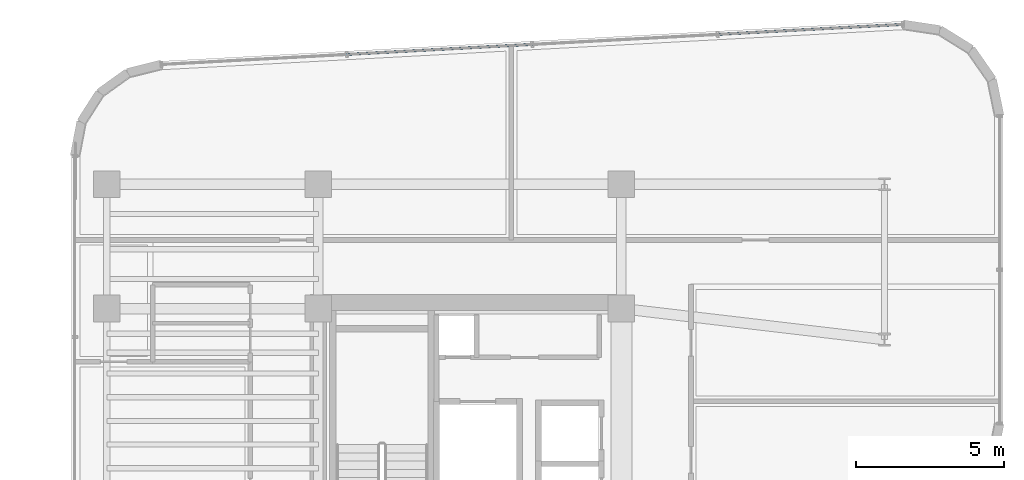
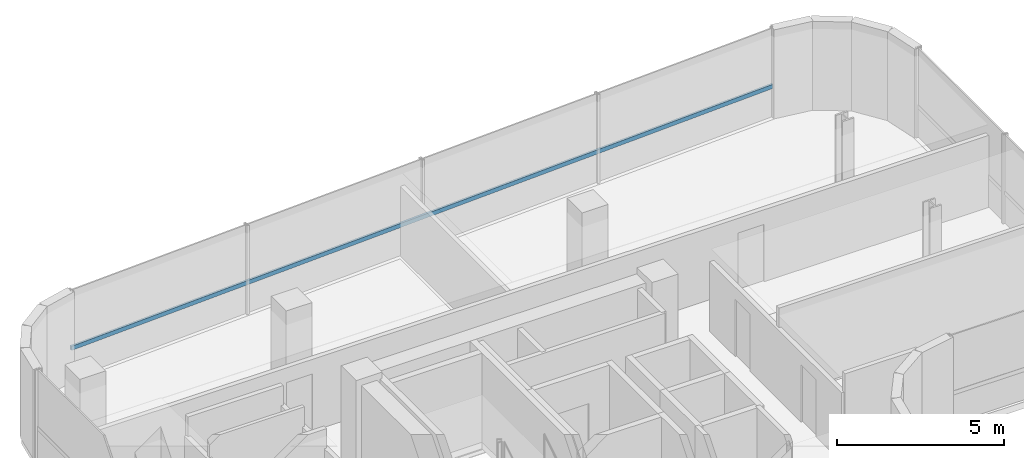
# One storey, part 15 of 22: 1 member, 1 element without a shape of its own.
"""IFC4 building model written with IfcOpenShell, lengths in metres."""

import ifcopenshell
import ifcopenshell.guid

model = None  # the IFC model being written
_history = None  # IfcOwnerHistory: only IFC2X3 demands one
_inside = {}  # id of a spatial element -> (the spatial element, [elements in it])
_under = {}  # id of a project, library or spatial element -> (it, [spatial elements below it])
_declared = {}  # id of a project -> (the project, [libraries it declares])
_typed = {}  # id of a type object -> (the type object, [elements of that type])
_made_of = {}  # id of a material, layer set ... -> (it, [elements and type objects made of it])


def new_model(schema):
    """Start an empty IFC model of exactly this schema.

    Asked for "IFC4X3", IfcOpenShell would pick the latest addendum, in which some entities
    have other attributes; the version numbers below select the first issue.
    IFC2X3 requires an IfcOwnerHistory on every rooted entity: one is made here for all.
    """
    global model, _history
    if schema == "IFC4X3":
        model = ifcopenshell.file(schema_version=(4, 3, 0, 0))
    else:
        model = ifcopenshell.file(schema=schema)
    _inside.clear()
    _under.clear()
    _declared.clear()
    _typed.clear()
    _made_of.clear()
    _history = None
    if model.schema == "IFC2X3":
        org = make("IfcOrganization", Name="unknown")
        user = make(
            "IfcPersonAndOrganization",
            ThePerson=make("IfcPerson", FamilyName="unknown"),
            TheOrganization=org,
        )
        app = make(
            "IfcApplication",
            ApplicationDeveloper=org,
            Version="unknown",
            ApplicationFullName="unknown",
            ApplicationIdentifier="unknown",
        )
        _history = make(
            "IfcOwnerHistory",
            OwningUser=user,
            OwningApplication=app,
            ChangeAction="ADDED",
            CreationDate=0,
        )
    return model


def make(cls, **values):
    """One entity of the class cls with the attributes given. An attribute that is None is left unset."""
    return model.create_entity(
        cls, **{name: value for name, value in values.items() if value is not None}
    )


def rooted(cls, **values):
    """An entity with a GlobalId (a new one), such as an element, a storey or a relation."""
    return make(cls, GlobalId=ifcopenshell.guid.new(), OwnerHistory=_history, **values)


def si_unit(unit_type, name, prefix=None):
    """IfcSIUnit, for example si_unit("LENGTHUNIT", "METRE", prefix="MILLI")."""
    return make("IfcSIUnit", UnitType=unit_type, Prefix=prefix, Name=name)


def assignment(units):
    """IfcUnitAssignment: the units of a project."""
    return None if units is None else make("IfcUnitAssignment", Units=units)


def point(xyz):
    """IfcCartesianPoint."""
    return None if xyz is None else make("IfcCartesianPoint", Coordinates=xyz)


def direction(xyz):
    """IfcDirection."""
    return None if xyz is None else make("IfcDirection", DirectionRatios=xyz)


def frame(location, z_axis=None, x_axis=None):
    """IfcAxis2Placement3D, a coordinate frame: its origin and axes. An axis left out is left unset."""
    return make(
        "IfcAxis2Placement3D",
        Location=point(location),
        Axis=direction(z_axis),
        RefDirection=direction(x_axis),
    )


def frame_2d(location, x_axis=None):
    """IfcAxis2Placement2D, a coordinate frame in the plane: its origin and x axis."""
    return make(
        "IfcAxis2Placement2D", Location=point(location), RefDirection=direction(x_axis)
    )


def origin():
    """The frame at (0, 0, 0) with its axes left unset."""
    return frame((0.0, 0.0, 0.0))


def origin_2d():
    """The frame at (0, 0) in the plane with its x axis left unset."""
    return frame_2d((0.0, 0.0))


def place(relative_to, where):
    """IfcLocalPlacement: puts the frame where relative to a parent placement (None: the world)."""
    return make(
        "IfcLocalPlacement", PlacementRelTo=relative_to, RelativePlacement=where
    )


def context(
    kind, dimensions, precision=None, world=None, true_north=None, identifier=None
):
    """IfcGeometricRepresentationContext, for example the 3D "Model" context."""
    return make(
        "IfcGeometricRepresentationContext",
        ContextIdentifier=identifier,
        ContextType=kind,
        CoordinateSpaceDimension=dimensions,
        Precision=precision,
        WorldCoordinateSystem=world,
        TrueNorth=true_north,
    )


def subcontext(parent, identifier, kind, view, scale=None):
    """IfcGeometricRepresentationSubContext, for example "Body" below "Model"."""
    return make(
        "IfcGeometricRepresentationSubContext",
        ContextIdentifier=identifier,
        ContextType=kind,
        ParentContext=parent,
        TargetScale=scale,
        TargetView=view,
    )


def project(units=None, contexts=None):
    """IfcProject with its units and contexts."""
    return rooted(
        "IfcProject",
        Name="project",
        RepresentationContexts=contexts,
        UnitsInContext=assignment(units),
    )


def spatial(cls, under=None, at=None, **own):
    """A site, building, storey or space (cls), placed at a placement, below another one or the project."""
    s = rooted(cls, ObjectPlacement=at, **own)
    if under is not None:
        _under.setdefault(under.id(), (under, []))[1].append(s)
    return s


def profile(cls, at=None, kind="AREA", **sizes):
    """A parametric profile (cls). Its sizes go by their IFC names, for example OverallWidth=200.0."""
    return make(cls, ProfileType=kind, Position=at, **sizes)


def hollow_rectangle(**sizes):
    """IfcRectangleHollowProfileDef."""
    return profile("IfcRectangleHollowProfileDef", **sizes)


def extrude(swept, where, along, depth):
    """IfcExtrudedAreaSolid: the profile swept, set in the frame where, extruded along a direction by depth."""
    return make(
        "IfcExtrudedAreaSolid",
        SweptArea=swept,
        Position=where,
        ExtrudedDirection=direction(along),
        Depth=depth,
    )


def shape(context_of_items, identifier, shape_type, items):
    """IfcShapeRepresentation: the items that make up one representation, for example the "Body"."""
    return make(
        "IfcShapeRepresentation",
        ContextOfItems=context_of_items,
        RepresentationIdentifier=identifier,
        RepresentationType=shape_type,
        Items=items,
    )


def source(mapping_origin, context_of_items, identifier, shape_type, items):
    """IfcRepresentationMap: a shape defined once, which mapped items show again and again."""
    return make(
        "IfcRepresentationMap",
        MappingOrigin=mapping_origin,
        MappedRepresentation=shape(context_of_items, identifier, shape_type, items),
    )


def transform(
    local_origin,
    x_axis=None,
    y_axis=None,
    z_axis=None,
    scale=None,
    scale2=None,
    scale3=None,
    uniform=True,
):
    """IfcCartesianTransformationOperator3D, or its non-uniform kind. x_axis, y_axis, z_axis: its Axis1, 2, 3."""
    if uniform:
        return make(
            "IfcCartesianTransformationOperator3D",
            Axis1=direction(x_axis),
            Axis2=direction(y_axis),
            LocalOrigin=point(local_origin),
            Scale=scale,
            Axis3=direction(z_axis),
        )
    return make(
        "IfcCartesianTransformationOperator3DnonUniform",
        Axis1=direction(x_axis),
        Axis2=direction(y_axis),
        LocalOrigin=point(local_origin),
        Scale=scale,
        Axis3=direction(z_axis),
        Scale2=scale2,
        Scale3=scale3,
    )


def mapped(mapping_source, mapping_target):
    """IfcMappedItem: shows the shape of a source again, moved by a transform."""
    return make(
        "IfcMappedItem", MappingSource=mapping_source, MappingTarget=mapping_target
    )


def material(Name=None, Category=None):
    """IfcMaterial."""
    return make("IfcMaterial", Name=Name, Category=Category)


def material_profile(
    of_material, cross_section, Name=None, Category=None, Priority=None
):
    """IfcMaterialProfile: a cross section and its material."""
    return make(
        "IfcMaterialProfile",
        Name=Name,
        Material=of_material,
        Profile=cross_section,
        Priority=Priority,
        Category=Category,
    )


def profile_set(profiles, Name=None, composite=None):
    """IfcMaterialProfileSet."""
    return make(
        "IfcMaterialProfileSet",
        Name=Name,
        MaterialProfiles=profiles,
        CompositeProfile=composite,
    )


def made_of(thing, what):
    """Note that an element or type object is made of a material, layer set ...; save() writes the relation."""
    if what is not None:
        _made_of.setdefault(what.id(), (what, []))[1].append(thing)
    return thing


def type_object(cls, material=None, **own):
    """A type object (cls), such as IfcWallType, which elements share."""
    return made_of(rooted(cls, **own), material)


def element(
    cls,
    number,
    at=None,
    inside=None,
    cuts=None,
    type_object=None,
    material=None,
    context=None,
    identifier="Body",
    shape_type=None,
    held_by="IfcProductDefinitionShape",
    body=None,
    shapes=None,
    **own,
):
    """One element of the class cls, such as IfcWall. Its Tag is "e" and its number.

    at: its placement. inside: the storey or other place that contains it. cuts: it is an
    opening in that element (IfcRelVoidsElement). A single representation is given by context,
    identifier, shape_type and body (its items); several are given by shapes. held_by: the class
    of the entity that holds the representations. save() writes the other relations.
    """
    e = rooted(cls, Tag="e%d" % number, ObjectPlacement=at, **own)
    if body is not None:
        shapes = [shape(context, identifier, shape_type, body)]
    if shapes is not None:
        e.Representation = make(held_by, Representations=shapes)
    if inside is not None:
        _inside.setdefault(inside.id(), (inside, []))[1].append(e)
    if cuts is not None:
        rooted(
            "IfcRelVoidsElement", RelatingBuildingElement=cuts, RelatedOpeningElement=e
        )
    if type_object is not None:
        _typed.setdefault(type_object.id(), (type_object, []))[1].append(e)
    return made_of(e, material)


def aggregate(whole, parts):
    """IfcRelAggregates: a whole, such as a stair, and the parts it consists of."""
    return rooted("IfcRelAggregates", RelatingObject=whole, RelatedObjects=parts)


def save(model, path):
    """Write the relations noted so far, then the file.

    IfcRelAggregates (storeys below a building ...), IfcRelContainedInSpatialStructure (elements
    in a storey), IfcRelDefinesByType, IfcRelAssociatesMaterial and IfcRelDeclares: one each for
    every whole, place, type object, material and project.
    """
    for whole, parts in _under.values():
        aggregate(whole, parts)
    for where, things in _inside.values():
        rooted(
            "IfcRelContainedInSpatialStructure",
            RelatedElements=things,
            RelatingStructure=where,
        )
    for kind, things in _typed.values():
        rooted("IfcRelDefinesByType", RelatedObjects=things, RelatingType=kind)
    for what, things in _made_of.values():
        rooted("IfcRelAssociatesMaterial", RelatedObjects=things, RelatingMaterial=what)
    for by, libraries in _declared.values():
        rooted("IfcRelDeclares", RelatingContext=by, RelatedDefinitions=libraries)
    model.write(path)


model = new_model("IFC4")

# Units and contexts
model_context = context("Model", 3, precision=1e-05, world=origin(), true_north=direction((0.0, 1.0)))
body_context = subcontext(model_context, "Body", "Model", "MODEL_VIEW")
ifc_project = project(units=[si_unit("LENGTHUNIT", "METRE"), si_unit("AREAUNIT", "SQUARE_METRE"), si_unit("VOLUMEUNIT", "CUBIC_METRE"), si_unit("PLANEANGLEUNIT", "RADIAN"), si_unit("MASSUNIT", "GRAM", prefix="KILO")], contexts=[model_context])

# Site, building, storey
site_placement = place(None, origin())
site = spatial("IfcSite", under=ifc_project, at=site_placement, CompositionType="ELEMENT")
building_placement = place(site_placement, origin())
building = spatial("IfcBuilding", under=site, at=building_placement, Name="Valdorenza Pilgrim Sanctuary Tower", CompositionType="ELEMENT")
storey_placement = place(building_placement, frame((0.0, 0.0, 233.5)))
storey = spatial("IfcBuildingStorey", under=building, at=storey_placement, Name="L60", CompositionType="ELEMENT", Elevation=233.5)

# Curtain wall, member
ifc_material_1 = material(Name="Curtain-wall IGU glazing", Category="glass")
curtain_wall_type = type_object("IfcCurtainWallType", Name="CW-SYS-02", PredefinedType="NOTDEFINED", material=ifc_material_1)
curtain_wall_placement = place(storey_placement, origin())
curtain_wall = element("IfcCurtainWall", 1, at=curtain_wall_placement, inside=storey, type_object=curtain_wall_type, Name="L60 Curtain Wall CW-L60-1-6", PredefinedType="NOTDEFINED")
ifc_material_2 = material(Name="Anodised aluminium AW-6060", Category="aluminium")
ifc_material_profile = material_profile(ifc_material_2, hollow_rectangle(XDim=0.074951171875, YDim=0.14990234375, WallThickness=0.00390625, at=origin_2d()), Name="ALU-T 150x75x4")
ifc_profile_set = profile_set([ifc_material_profile], Name="Anodised aluminium AW-6060")
member_type = type_object("IfcMemberType", Name="CW-TRN-02", PredefinedType="USERDEFINED", material=ifc_profile_set)
shared_shape = source(origin(), body_context, "Body", "SweptSolid", [
    extrude(hollow_rectangle(XDim=0.074951171875, YDim=0.14990234375, WallThickness=0.00390625, at=origin_2d()), origin(), (0.0, 0.0, 1.0), 25.114990234375),
])
member_placement = place(storey_placement, frame((-27.9560546875, 18.85400390625, 1.1201171875), z_axis=(0.998546716184, 0.053893001378, 0.0), x_axis=(-0.053893001378, 0.998546716184, 0.0)))
member = element("IfcMember", 2, at=member_placement, type_object=member_type, Name="CW-L60-1-6 Transom 1", ObjectType="TRANSOM", PredefinedType="USERDEFINED", context=body_context, shape_type="MappedRepresentation", body=[
    mapped(shared_shape, transform((0.0, 0.0, 0.0), x_axis=(1.0, 0.0, 0.0), y_axis=(0.0, 1.0, 0.0), z_axis=(0.0, 0.0, 1.0), scale=1.0)),
])
aggregate(curtain_wall, [member])

save(model, "model.ifc")
